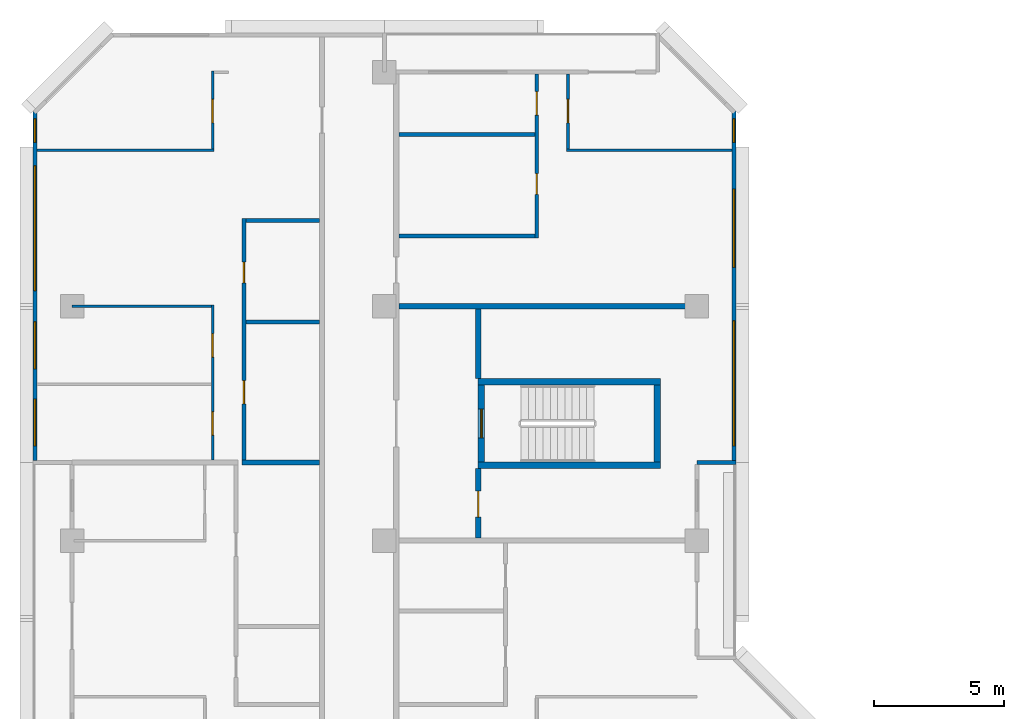
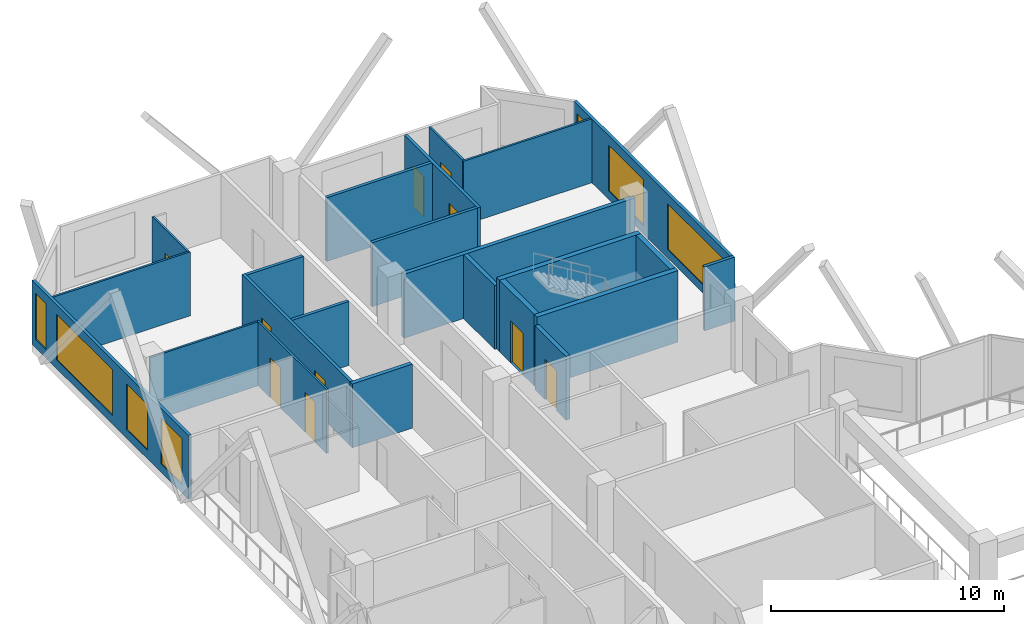
# One storey, part 10 of 14: 23 walls, 10 doors, 7 windows, 17 openings.
"""IFC4 building model written with IfcOpenShell, lengths in metres."""

from ifc_helpers import new_model, si_unit, direction, frame, frame_2d, origin, place, context, subcontext, project, spatial, rectangle, extrude, material, layer, layer_set, type_object, element, fill, save


model = new_model("IFC4")

# Units and contexts
model_context = context("Model", 3, precision=1e-05, world=origin(), true_north=direction((0.0, 1.0)))
body_context = subcontext(model_context, "Body", "Model", "MODEL_VIEW")
ifc_project = project(units=[si_unit("LENGTHUNIT", "METRE"), si_unit("AREAUNIT", "SQUARE_METRE"), si_unit("VOLUMEUNIT", "CUBIC_METRE"), si_unit("PLANEANGLEUNIT", "RADIAN"), si_unit("MASSUNIT", "GRAM", prefix="KILO")], contexts=[model_context])

# Site, building, storey
site_placement = place(None, origin())
site = spatial("IfcSite", under=ifc_project, at=site_placement, CompositionType="ELEMENT")
building_placement = place(site_placement, origin())
building = spatial("IfcBuilding", under=site, at=building_placement, Name="Chenar Terraces", CompositionType="ELEMENT")
storey_placement = place(building_placement, frame((0.0, 0.0, 179.89990234375)))
storey = spatial("IfcBuildingStorey", under=building, at=storey_placement, Name="L41", CompositionType="ELEMENT", Elevation=179.89990234375)

# Walls
ifc_material_1 = material(Name="Concrete C60/75", Category="concrete")
ifc_layer_1 = layer(ifc_material_1, 0.25)
ifc_layer_set_1 = layer_set([ifc_layer_1], Name="Concrete C60/75")
wall_type_1 = type_object("IfcWallType", Name="Core wall 250 Concrete C60/75", PredefinedType="SHEAR", material=ifc_layer_set_1)
for number, where, z_axis, x_axis, name in (
    (1, (15.60009765625, 47.89990234375, 0.0), (0.0, 0.0, 1.0), (1.0, 0.0, 0.0), "Core wall ST4_S L41"),
    (2, (15.60009765625, 51.10009765625, 0.0), (0.0, 0.0, 1.0), (1.0, 0.0, 0.0), "Core wall ST4_N L41"),
):
    element("IfcWall", number, at=place(storey_placement, frame(where, z_axis=z_axis, x_axis=x_axis)), inside=storey, type_object=wall_type_1, Name=name, PredefinedType="SHEAR", context=body_context, shape_type="SweptSolid", body=[
        extrude(rectangle(XDim=7.0, YDim=0.25, at=frame_2d((3.5, 0.0))), origin(), (0.0, 0.0, 1.0), 3.75),
    ])

# Wall, opening, door
wall_1_placement = place(storey_placement, frame((15.72509765625, 48.02490234375, 0.0), z_axis=(0.0, 0.0, 1.0), x_axis=(0.0, 1.0, 0.0)))
wall_1 = element("IfcWall", 3, at=wall_1_placement, inside=storey, type_object=wall_type_1, Name="Core wall ST4_W L41", PredefinedType="SHEAR", context=body_context, shape_type="SweptSolid", body=[
    extrude(rectangle(XDim=2.9501953125, YDim=0.25, at=frame_2d((1.47509765625, 0.0))), origin(), (0.0, 0.0, 1.0), 3.75),
])
opening_1_placement = place(wall_1_placement, frame((0.925048828125, 0.0, 0.0)))
opening_1 = element("IfcOpeningElement", 4, at=opening_1_placement, cuts=wall_1, Name="Opening DL41-C9", PredefinedType="OPENING", context=body_context, shape_type="SweptSolid", body=[
    extrude(rectangle(XDim=1.10009765625, YDim=2.199951171875, at=frame_2d((0.550048828125, 1.10009765625))), frame((0.0, 0.135009765625, 0.0), z_axis=(0.0, -1.0, 0.0), x_axis=(1.0, 0.0, 0.0)), (0.0, 0.0, 1.0), 0.27001953125),
])
ifc_material_2 = material(Name="Steel-framed fire-resisting door leaf", Category="steel")
door_type_1 = type_object("IfcDoorType", Name="Stair fire door FD60 1100 x 2200", OperationType="SINGLE_SWING_LEFT", PredefinedType="DOOR", material=ifc_material_2)
door_1_placement = place(opening_1_placement, frame((1.10009765625, 0.0, 0.0), z_axis=(0.0, 0.0, 1.0), x_axis=(-1.0, 0.0, 0.0)))
door_1 = element("IfcDoor", 5, at=door_1_placement, inside=storey, type_object=door_type_1, Name="Stair door DL41-C9", OperationType="SINGLE_SWING_RIGHT", OverallHeight=2.199951171875, OverallWidth=1.10009765625, PredefinedType="DOOR", context=body_context, shape_type="SweptSolid", body=[
    extrude(rectangle(XDim=1.10009765625, YDim=2.199951171875, at=frame_2d((0.550048828125, 1.10009765625))), frame((0.0, 0.02490234375, 0.0), z_axis=(0.0, -1.0, 0.0), x_axis=(1.0, 0.0, 0.0)), (0.0, 0.0, 1.0), 0.050048828125),
])
fill(opening_1, door_1)

# Wall
wall_2_placement = place(storey_placement, frame((22.47509765625, 48.02490234375, 0.0), z_axis=(0.0, 0.0, 1.0), x_axis=(0.0, 1.0, 0.0)))
element("IfcWall", 6, at=wall_2_placement, inside=storey, type_object=wall_type_1, Name="Core wall ST4_E L41", PredefinedType="SHEAR", context=body_context, shape_type="SweptSolid", body=[
    extrude(rectangle(XDim=2.9501953125, YDim=0.25, at=frame_2d((1.47509765625, 0.0))), origin(), (0.0, 0.0, 1.0), 3.75),
])

# Wall, opening, door
ifc_material_3 = material(Name="Gypsum board on steel studs with fire boards", Category="steel")
ifc_layer_2 = layer(ifc_material_3, 0.199951171875)
ifc_layer_set_2 = layer_set([ifc_layer_2], Name="Gypsum board on steel studs with fire boards")
wall_type_2 = type_object("IfcWallType", Name="Corridor wall 200", PredefinedType="PARTITIONING", material=ifc_layer_set_2)
wall_3_placement = place(storey_placement, frame((15.60009765625, 45.10009765625, 0.0), z_axis=(0.0, 0.0, 1.0), x_axis=(0.0, 1.0, 0.0)))
wall_3 = element("IfcWall", 7, at=wall_3_placement, inside=storey, type_object=wall_type_2, Name="Partition L41-044", PredefinedType="PARTITIONING", context=body_context, shape_type="SweptSolid", body=[
    extrude(rectangle(XDim=2.6748046875, YDim=0.199951171875, at=frame_2d((1.33740234375, 0.0))), origin(), (0.0, 0.0, 1.0), 3.35009765625),
])
opening_2_placement = place(wall_3_placement, frame((0.800048828125, 0.0, 0.0)))
opening_2 = element("IfcOpeningElement", 8, at=opening_2_placement, cuts=wall_3, Name="Opening DL41-39", PredefinedType="OPENING", context=body_context, shape_type="SweptSolid", body=[
    extrude(rectangle(XDim=1.0, YDim=2.10009765625, at=frame_2d((0.5, 1.050048828125))), frame((0.0, 0.10986328125, 0.0), z_axis=(0.0, -1.0, 0.0), x_axis=(1.0, 0.0, 0.0)), (0.0, 0.0, 1.0), 0.219970703125),
])
ifc_material_4 = material(Name="Steel-framed fire-resisting door leaf", Category="steel")
door_type_2 = type_object("IfcDoorType", Name="Fire door FD60 1000 x 2100", OperationType="SINGLE_SWING_LEFT", PredefinedType="DOOR", material=ifc_material_4)
door_2_placement = place(opening_2_placement, frame((1.0, 0.0, 0.0), z_axis=(0.0, 0.0, 1.0), x_axis=(-1.0, 0.0, 0.0)))
door_2 = element("IfcDoor", 9, at=door_2_placement, inside=storey, type_object=door_type_2, Name="Door DL41-39", OperationType="SINGLE_SWING_RIGHT", OverallHeight=2.10009765625, OverallWidth=1.0, PredefinedType="DOOR", context=body_context, shape_type="SweptSolid", body=[
    extrude(rectangle(XDim=1.0, YDim=2.10009765625, at=frame_2d((0.5, 1.050048828125))), frame((0.0, 0.02490234375, 0.0), z_axis=(0.0, -1.0, 0.0), x_axis=(1.0, 0.0, 0.0)), (0.0, 0.0, 1.0), 0.050048828125),
])
fill(opening_2, door_2)

# Wall
wall_4_placement = place(storey_placement, frame((15.60009765625, 51.22509765625, 0.0), z_axis=(0.0, 0.0, 1.0), x_axis=(0.0, 1.0, 0.0)))
element("IfcWall", 10, at=wall_4_placement, inside=storey, type_object=wall_type_2, Name="Partition L41-045", PredefinedType="PARTITIONING", context=body_context, shape_type="SweptSolid", body=[
    extrude(rectangle(XDim=2.6748046875, YDim=0.199951171875, at=frame_2d((1.33740234375, 0.0))), origin(), (0.0, 0.0, 1.0), 3.35009765625),
])

# Wall, openings, windows
ifc_material_5 = material(Name="Aluminium framed glazing", Category="aluminium")
ifc_layer_3 = layer(ifc_material_5, 0.14990234375)
ifc_layer_set_3 = layer_set([ifc_layer_3], Name="Aluminium framed glazing")
wall_type_3 = type_object("IfcWallType", Name="Glazed flush facade wall 150", PredefinedType="SOLIDWALL", material=ifc_layer_set_3)
wall_5_placement = place(storey_placement, frame((25.425048828125, 48.074951171875, 0.0), z_axis=(0.0, 0.0, 1.0), x_axis=(0.0, 1.0, 0.0)))
wall_5 = element("IfcWall", 11, at=wall_5_placement, inside=storey, type_object=wall_type_3, Name="Glazed flush facade wall", PredefinedType="SOLIDWALL", context=body_context, shape_type="SweptSolid", body=[
    extrude(rectangle(XDim=13.425048828125, YDim=0.14990234375, at=frame_2d((6.71240234375, 0.0))), origin(), (0.0, 0.0, 1.0), 3.35009765625),
])
opening_3_placement = place(wall_5_placement, frame((0.5625, 0.0, 0.449951171875)))
opening_3 = element("IfcOpeningElement", 12, at=opening_3_placement, cuts=wall_5, Name="Opening W480x240", PredefinedType="OPENING", context=body_context, shape_type="SweptSolid", body=[
    extrude(rectangle(XDim=4.800048828125, YDim=2.39990234375, at=frame_2d((2.39990234375, 1.199951171875))), frame((0.0, 0.0849609375, 0.0), z_axis=(0.0, -1.0, 0.0), x_axis=(1.0, 0.0, 0.0)), (0.0, 0.0, 1.0), 0.169921875),
])
opening_4_placement = place(wall_5_placement, frame((7.425048828125, 0.0, 0.449951171875)))
opening_4 = element("IfcOpeningElement", 13, at=opening_4_placement, cuts=wall_5, Name="Opening W300x240", PredefinedType="OPENING", context=body_context, shape_type="SweptSolid", body=[
    extrude(rectangle(XDim=3.0, YDim=2.39990234375, at=frame_2d((1.5, 1.199951171875))), frame((0.0, 0.0849609375, 0.0), z_axis=(0.0, -1.0, 0.0), x_axis=(1.0, 0.0, 0.0)), (0.0, 0.0, 1.0), 0.169921875),
])
opening_5_placement = place(wall_5_placement, frame((12.22509765625, 0.0, 0.449951171875)))
opening_5 = element("IfcOpeningElement", 14, at=opening_5_placement, cuts=wall_5, Name="Opening W90x240", PredefinedType="OPENING", context=body_context, shape_type="SweptSolid", body=[
    extrude(rectangle(XDim=0.89990234375, YDim=2.39990234375, at=frame_2d((0.449951171875, 1.199951171875))), frame((0.0, 0.0849609375, 0.0), z_axis=(0.0, -1.0, 0.0), x_axis=(1.0, 0.0, 0.0)), (0.0, 0.0, 1.0), 0.169921875),
])
ifc_material_6 = material(Name="Low emissivity double glazing, aluminium frame", Category="aluminium")
window_type_1 = type_object("IfcWindowType", Name="Fixed light 3000 x 2400", PartitioningType="SINGLE_PANEL", PredefinedType="WINDOW", material=ifc_material_6)
window_1_placement = place(opening_4_placement, origin())
window_1 = element("IfcWindow", 15, at=window_1_placement, inside=storey, type_object=window_type_1, Name="Window", OverallHeight=2.39990234375, OverallWidth=3.0, PartitioningType="SINGLE_PANEL", PredefinedType="WINDOW", context=body_context, shape_type="SweptSolid", body=[
    extrude(rectangle(XDim=3.0, YDim=2.39990234375, at=frame_2d((1.5, 1.199951171875))), frame((0.0, 0.030029296875, 0.0), z_axis=(0.0, -1.0, 0.0), x_axis=(1.0, 0.0, 0.0)), (0.0, 0.0, 1.0), 0.06005859375),
])
fill(opening_4, window_1)
ifc_material_7 = material(Name="Low emissivity double glazing, aluminium frame", Category="aluminium")
window_type_2 = type_object("IfcWindowType", Name="Fixed light 4800 x 2400", PartitioningType="SINGLE_PANEL", PredefinedType="WINDOW", material=ifc_material_7)
window_2_placement = place(opening_3_placement, origin())
window_2 = element("IfcWindow", 16, at=window_2_placement, inside=storey, type_object=window_type_2, Name="Window", OverallHeight=2.39990234375, OverallWidth=4.800048828125, PartitioningType="SINGLE_PANEL", PredefinedType="WINDOW", context=body_context, shape_type="SweptSolid", body=[
    extrude(rectangle(XDim=4.800048828125, YDim=2.39990234375, at=frame_2d((2.39990234375, 1.199951171875))), frame((0.0, 0.030029296875, 0.0), z_axis=(0.0, -1.0, 0.0), x_axis=(1.0, 0.0, 0.0)), (0.0, 0.0, 1.0), 0.06005859375),
])
fill(opening_3, window_2)
ifc_material_8 = material(Name="Low emissivity double glazing, aluminium frame", Category="aluminium")
window_type_3 = type_object("IfcWindowType", Name="Fixed light 900 x 2400", PartitioningType="SINGLE_PANEL", PredefinedType="WINDOW", material=ifc_material_8)
window_3_placement = place(opening_5_placement, origin())
window_3 = element("IfcWindow", 17, at=window_3_placement, inside=storey, type_object=window_type_3, Name="Window", OverallHeight=2.39990234375, OverallWidth=0.89990234375, PartitioningType="SINGLE_PANEL", PredefinedType="WINDOW", context=body_context, shape_type="SweptSolid", body=[
    extrude(rectangle(XDim=0.89990234375, YDim=2.39990234375, at=frame_2d((0.449951171875, 1.199951171875))), frame((0.0, 0.030029296875, 0.0), z_axis=(0.0, -1.0, 0.0), x_axis=(1.0, 0.0, 0.0)), (0.0, 0.0, 1.0), 0.06005859375),
])
fill(opening_5, window_3)

wall_6_placement = place(storey_placement, frame((-1.425048828125, 61.5, 0.0), z_axis=(0.0, 0.0, 1.0), x_axis=(0.0, -1.0, 0.0)))
wall_6 = element("IfcWall", 18, at=wall_6_placement, inside=storey, type_object=wall_type_3, Name="Glazed flush facade wall", PredefinedType="SOLIDWALL", context=body_context, shape_type="SweptSolid", body=[
    extrude(rectangle(XDim=13.425048828125, YDim=0.14990234375, at=frame_2d((6.71240234375, 0.0))), origin(), (0.0, 0.0, 1.0), 3.35009765625),
])
opening_6_placement = place(wall_6_placement, frame((0.300048828125, 0.0, 0.449951171875)))
opening_6 = element("IfcOpeningElement", 19, at=opening_6_placement, cuts=wall_6, Name="Opening W90x240", PredefinedType="OPENING", context=body_context, shape_type="SweptSolid", body=[
    extrude(rectangle(XDim=0.89990234375, YDim=2.39990234375, at=frame_2d((0.449951171875, 1.199951171875))), frame((0.0, 0.0849609375, 0.0), z_axis=(0.0, -1.0, 0.0), x_axis=(1.0, 0.0, 0.0)), (0.0, 0.0, 1.0), 0.169921875),
])
opening_7_placement = place(wall_6_placement, frame((2.10009765625, 0.0, 0.449951171875)))
opening_7 = element("IfcOpeningElement", 20, at=opening_7_placement, cuts=wall_6, Name="Opening W480x240", PredefinedType="OPENING", context=body_context, shape_type="SweptSolid", body=[
    extrude(rectangle(XDim=4.800048828125, YDim=2.39990234375, at=frame_2d((2.39990234375, 1.199951171875))), frame((0.0, 0.0849609375, 0.0), z_axis=(0.0, -1.0, 0.0), x_axis=(1.0, 0.0, 0.0)), (0.0, 0.0, 1.0), 0.169921875),
])
opening_8_placement = place(wall_6_placement, frame((8.10009765625, 0.0, 0.449951171875)))
opening_8 = element("IfcOpeningElement", 21, at=opening_8_placement, cuts=wall_6, Name="Opening W180x240", PredefinedType="OPENING", context=body_context, shape_type="SweptSolid", body=[
    extrude(rectangle(XDim=1.800048828125, YDim=2.39990234375, at=frame_2d((0.89990234375, 1.199951171875))), frame((0.0, 0.0849609375, 0.0), z_axis=(0.0, -1.0, 0.0), x_axis=(1.0, 0.0, 0.0)), (0.0, 0.0, 1.0), 0.169921875),
])
opening_9_placement = place(wall_6_placement, frame((11.0625, 0.0, 0.449951171875)))
opening_9 = element("IfcOpeningElement", 22, at=opening_9_placement, cuts=wall_6, Name="Opening W180x240", PredefinedType="OPENING", context=body_context, shape_type="SweptSolid", body=[
    extrude(rectangle(XDim=1.800048828125, YDim=2.39990234375, at=frame_2d((0.89990234375, 1.199951171875))), frame((0.0, 0.0849609375, 0.0), z_axis=(0.0, -1.0, 0.0), x_axis=(1.0, 0.0, 0.0)), (0.0, 0.0, 1.0), 0.169921875),
])
ifc_material_9 = material(Name="Low emissivity double glazing, aluminium frame", Category="aluminium")
window_type_4 = type_object("IfcWindowType", Name="Fixed light 1800 x 2400", PartitioningType="SINGLE_PANEL", PredefinedType="WINDOW", material=ifc_material_9)
window_4_placement = place(opening_8_placement, origin())
window_4 = element("IfcWindow", 23, at=window_4_placement, inside=storey, type_object=window_type_4, Name="Window", OverallHeight=2.39990234375, OverallWidth=1.800048828125, PartitioningType="SINGLE_PANEL", PredefinedType="WINDOW", context=body_context, shape_type="SweptSolid", body=[
    extrude(rectangle(XDim=1.800048828125, YDim=2.39990234375, at=frame_2d((0.89990234375, 1.199951171875))), frame((0.0, 0.030029296875, 0.0), z_axis=(0.0, -1.0, 0.0), x_axis=(1.0, 0.0, 0.0)), (0.0, 0.0, 1.0), 0.06005859375),
])
fill(opening_8, window_4)
window_5_placement = place(opening_9_placement, origin())
window_5 = element("IfcWindow", 24, at=window_5_placement, inside=storey, type_object=window_type_4, Name="Window", OverallHeight=2.39990234375, OverallWidth=1.800048828125, PartitioningType="SINGLE_PANEL", PredefinedType="WINDOW", context=body_context, shape_type="SweptSolid", body=[
    extrude(rectangle(XDim=1.800048828125, YDim=2.39990234375, at=frame_2d((0.89990234375, 1.199951171875))), frame((0.0, 0.030029296875, 0.0), z_axis=(0.0, -1.0, 0.0), x_axis=(1.0, 0.0, 0.0)), (0.0, 0.0, 1.0), 0.06005859375),
])
fill(opening_9, window_5)
window_6_placement = place(opening_7_placement, origin())
window_6 = element("IfcWindow", 25, at=window_6_placement, inside=storey, type_object=window_type_2, Name="Window", OverallHeight=2.39990234375, OverallWidth=4.800048828125, PartitioningType="SINGLE_PANEL", PredefinedType="WINDOW", context=body_context, shape_type="SweptSolid", body=[
    extrude(rectangle(XDim=4.800048828125, YDim=2.39990234375, at=frame_2d((2.39990234375, 1.199951171875))), frame((0.0, 0.030029296875, 0.0), z_axis=(0.0, -1.0, 0.0), x_axis=(1.0, 0.0, 0.0)), (0.0, 0.0, 1.0), 0.06005859375),
])
fill(opening_7, window_6)
window_7_placement = place(opening_6_placement, origin())
window_7 = element("IfcWindow", 26, at=window_7_placement, inside=storey, type_object=window_type_3, Name="Window", OverallHeight=2.39990234375, OverallWidth=0.89990234375, PartitioningType="SINGLE_PANEL", PredefinedType="WINDOW", context=body_context, shape_type="SweptSolid", body=[
    extrude(rectangle(XDim=0.89990234375, YDim=2.39990234375, at=frame_2d((0.449951171875, 1.199951171875))), frame((0.0, 0.030029296875, 0.0), z_axis=(0.0, -1.0, 0.0), x_axis=(1.0, 0.0, 0.0)), (0.0, 0.0, 1.0), 0.06005859375),
])
fill(opening_6, window_7)

# Walls
ifc_material_10 = material(Name="Gypsum board on steel studs", Category="steel")
ifc_layer_4 = layer(ifc_material_10, 0.10009765625)
ifc_layer_set_4 = layer_set([ifc_layer_4], Name="Gypsum board on steel studs")
wall_type_4 = type_object("IfcWallType", Name="Gypsum partition 100", PredefinedType="PARTITIONING", material=ifc_layer_set_4)
wall_7_placement = place(storey_placement, frame((0.0, 54.0, 0.0), z_axis=(0.0, 0.0, 1.0), x_axis=(1.0, 0.0, 0.0)))
element("IfcWall", 27, at=wall_7_placement, inside=storey, type_object=wall_type_4, Name="Partition L41-006", PredefinedType="PARTITIONING", context=body_context, shape_type="SweptSolid", body=[
    extrude(rectangle(XDim=5.35009765625, YDim=0.10009765625, at=frame_2d((2.675048828125, 0.0))), origin(), (0.0, 0.0, 1.0), 3.35009765625),
])
wall_8_placement = place(storey_placement, frame((-1.35009765625, 60.0, 0.0), z_axis=(0.0, 0.0, 1.0), x_axis=(1.0, 0.0, 0.0)))
element("IfcWall", 28, at=wall_8_placement, inside=storey, type_object=wall_type_4, Name="Partition L41-007", PredefinedType="PARTITIONING", context=body_context, shape_type="SweptSolid", body=[
    extrude(rectangle(XDim=6.800048828125, YDim=0.10009765625, at=frame_2d((3.39990234375, 0.0))), origin(), (0.0, 0.0, 1.0), 3.35009765625),
])

# Wall, openings, doors
wall_9_placement = place(storey_placement, frame((5.39990234375, 48.10009765625, 0.0), z_axis=(0.0, 0.0, 1.0), x_axis=(0.0, 1.0, 0.0)))
wall_9 = element("IfcWall", 29, at=wall_9_placement, inside=storey, type_object=wall_type_4, Name="Partition L41-015", PredefinedType="PARTITIONING", context=body_context, shape_type="SweptSolid", body=[
    extrude(rectangle(XDim=5.949951171875, YDim=0.10009765625, at=frame_2d((2.97509765625, 0.0))), origin(), (0.0, 0.0, 1.0), 3.35009765625),
])
opening_10_placement = place(wall_9_placement, frame((0.949951171875, 0.0, 0.0)))
opening_10 = element("IfcOpeningElement", 30, at=opening_10_placement, cuts=wall_9, Name="Opening DL41-29", PredefinedType="OPENING", context=body_context, shape_type="SweptSolid", body=[
    extrude(rectangle(XDim=0.89990234375, YDim=2.10009765625, at=frame_2d((0.449951171875, 1.050048828125))), frame((0.0, 0.06005859375, 0.0), z_axis=(0.0, -1.0, 0.0), x_axis=(1.0, 0.0, 0.0)), (0.0, 0.0, 1.0), 0.1201171875),
])
opening_11_placement = place(wall_9_placement, frame((3.949951171875, 0.0, 0.0)))
opening_11 = element("IfcOpeningElement", 31, at=opening_11_placement, cuts=wall_9, Name="Opening DL41-33", PredefinedType="OPENING", context=body_context, shape_type="SweptSolid", body=[
    extrude(rectangle(XDim=0.89990234375, YDim=2.10009765625, at=frame_2d((0.449951171875, 1.050048828125))), frame((0.0, 0.06005859375, 0.0), z_axis=(0.0, -1.0, 0.0), x_axis=(1.0, 0.0, 0.0)), (0.0, 0.0, 1.0), 0.1201171875),
])
ifc_material_11 = material(Name="Veneered timber door leaf", Category="wood")
door_type_3 = type_object("IfcDoorType", Name="Door 900 x 2100", OperationType="SINGLE_SWING_LEFT", PredefinedType="DOOR", material=ifc_material_11)
door_3_placement = place(opening_10_placement, origin())
door_3 = element("IfcDoor", 32, at=door_3_placement, inside=storey, type_object=door_type_3, Name="Door DL41-29", OperationType="SINGLE_SWING_RIGHT", OverallHeight=2.10009765625, OverallWidth=0.89990234375, PredefinedType="DOOR", context=body_context, shape_type="SweptSolid", body=[
    extrude(rectangle(XDim=0.89990234375, YDim=2.10009765625, at=frame_2d((0.449951171875, 1.050048828125))), frame((0.0, 0.02490234375, 0.0), z_axis=(0.0, -1.0, 0.0), x_axis=(1.0, 0.0, 0.0)), (0.0, 0.0, 1.0), 0.050048828125),
])
fill(opening_10, door_3)
door_4_placement = place(opening_11_placement, origin())
door_4 = element("IfcDoor", 33, at=door_4_placement, inside=storey, type_object=door_type_3, Name="Door DL41-33", OperationType="SINGLE_SWING_RIGHT", OverallHeight=2.10009765625, OverallWidth=0.89990234375, PredefinedType="DOOR", context=body_context, shape_type="SweptSolid", body=[
    extrude(rectangle(XDim=0.89990234375, YDim=2.10009765625, at=frame_2d((0.449951171875, 1.050048828125))), frame((0.0, 0.02490234375, 0.0), z_axis=(0.0, -1.0, 0.0), x_axis=(1.0, 0.0, 0.0)), (0.0, 0.0, 1.0), 0.050048828125),
])
fill(opening_11, door_4)

# Wall, opening, door
wall_10_placement = place(storey_placement, frame((5.39990234375, 60.050048828125, 0.0), z_axis=(0.0, 0.0, 1.0), x_axis=(0.0, 1.0, 0.0)))
wall_10 = element("IfcWall", 34, at=wall_10_placement, inside=storey, type_object=wall_type_4, Name="Partition L41-016", PredefinedType="PARTITIONING", context=body_context, shape_type="SweptSolid", body=[
    extrude(rectangle(XDim=3.0, YDim=0.10009765625, at=frame_2d((1.5, 0.0))), origin(), (0.0, 0.0, 1.0), 3.35009765625),
])
opening_12_placement = place(wall_10_placement, frame((1.0, 0.0, 0.0)))
opening_12 = element("IfcOpeningElement", 35, at=opening_12_placement, cuts=wall_10, Name="Opening DL41-30", PredefinedType="OPENING", context=body_context, shape_type="SweptSolid", body=[
    extrude(rectangle(XDim=0.89990234375, YDim=2.10009765625, at=frame_2d((0.449951171875, 1.050048828125))), frame((0.0, 0.06005859375, 0.0), z_axis=(0.0, -1.0, 0.0), x_axis=(1.0, 0.0, 0.0)), (0.0, 0.0, 1.0), 0.1201171875),
])
door_5_placement = place(opening_12_placement, origin())
door_5 = element("IfcDoor", 36, at=door_5_placement, inside=storey, type_object=door_type_3, Name="Door DL41-30", OperationType="SINGLE_SWING_LEFT", OverallHeight=2.10009765625, OverallWidth=0.89990234375, PredefinedType="DOOR", context=body_context, shape_type="SweptSolid", body=[
    extrude(rectangle(XDim=0.89990234375, YDim=2.10009765625, at=frame_2d((0.449951171875, 1.050048828125))), frame((0.0, 0.02490234375, 0.0), z_axis=(0.0, -1.0, 0.0), x_axis=(1.0, 0.0, 0.0)), (0.0, 0.0, 1.0), 0.050048828125),
])
fill(opening_12, door_5)

# Wall
wall_11_placement = place(storey_placement, frame((19.0, 60.0, 0.0), z_axis=(0.0, 0.0, 1.0), x_axis=(1.0, 0.0, 0.0)))
element("IfcWall", 37, at=wall_11_placement, inside=storey, type_object=wall_type_4, Name="Partition L41-050", PredefinedType="PARTITIONING", context=body_context, shape_type="SweptSolid", body=[
    extrude(rectangle(XDim=6.35009765625, YDim=0.10009765625, at=frame_2d((3.175048828125, 0.0))), origin(), (0.0, 0.0, 1.0), 3.35009765625),
])

# Wall, opening, door
wall_12_placement = place(storey_placement, frame((19.050048828125, 60.050048828125, 0.0), z_axis=(0.0, 0.0, 1.0), x_axis=(0.0, 1.0, 0.0)))
wall_12 = element("IfcWall", 38, at=wall_12_placement, inside=storey, type_object=wall_type_4, Name="Partition L41-051", PredefinedType="PARTITIONING", context=body_context, shape_type="SweptSolid", body=[
    extrude(rectangle(XDim=2.8759765625, YDim=0.10009765625, at=frame_2d((1.43798828125, 0.0))), origin(), (0.0, 0.0, 1.0), 3.35009765625),
])
opening_13_placement = place(wall_12_placement, frame((1.0, 0.0, 0.0)))
opening_13 = element("IfcOpeningElement", 39, at=opening_13_placement, cuts=wall_12, Name="Opening DL41-20", PredefinedType="OPENING", context=body_context, shape_type="SweptSolid", body=[
    extrude(rectangle(XDim=0.89990234375, YDim=2.10009765625, at=frame_2d((0.449951171875, 1.050048828125))), frame((0.0, 0.06005859375, 0.0), z_axis=(0.0, -1.0, 0.0), x_axis=(1.0, 0.0, 0.0)), (0.0, 0.0, 1.0), 0.1201171875),
])
door_6_placement = place(opening_13_placement, frame((0.89990234375, 0.0, 0.0), z_axis=(0.0, 0.0, 1.0), x_axis=(-1.0, 0.0, 0.0)))
door_6 = element("IfcDoor", 40, at=door_6_placement, inside=storey, type_object=door_type_3, Name="Door DL41-20", OperationType="SINGLE_SWING_LEFT", OverallHeight=2.10009765625, OverallWidth=0.89990234375, PredefinedType="DOOR", context=body_context, shape_type="SweptSolid", body=[
    extrude(rectangle(XDim=0.89990234375, YDim=2.10009765625, at=frame_2d((0.449951171875, 1.050048828125))), frame((0.0, 0.02490234375, 0.0), z_axis=(0.0, -1.0, 0.0), x_axis=(1.0, 0.0, 0.0)), (0.0, 0.0, 1.0), 0.050048828125),
])
fill(opening_13, door_6)

# Walls
ifc_material_12 = material(Name="Terracotta cladding on insulated backing", Category="masonry")
ifc_layer_5 = layer(ifc_material_12, 0.14990234375)
ifc_layer_set_5 = layer_set([ifc_layer_5], Name="Terracotta cladding on insulated backing")
wall_type_5 = type_object("IfcWallType", Name="Loggia return wall 150", PredefinedType="SOLIDWALL", material=ifc_layer_set_5)
wall_13_placement = place(storey_placement, frame((25.5, 48.0, 0.0), z_axis=(0.0, 0.0, 1.0), x_axis=(-1.0, 0.0, 0.0)))
element("IfcWall", 41, at=wall_13_placement, inside=storey, type_object=wall_type_5, Name="Loggia return wall", PredefinedType="SOLIDWALL", context=body_context, shape_type="SweptSolid", body=[
    extrude(rectangle(XDim=1.5, YDim=0.14990234375, at=frame_2d((0.75, 0.0))), origin(), (0.0, 0.0, 1.0), 3.35009765625),
])
ifc_material_13 = material(Name="Twin gypsum board on steel studs with mineral wool", Category="steel")
ifc_layer_6 = layer(ifc_material_13, 0.199951171875)
ifc_layer_set_6 = layer_set([ifc_layer_6], Name="Twin gypsum board on steel studs with mineral wool")
wall_type_6 = type_object("IfcWallType", Name="Unit demising wall 200", PredefinedType="PARTITIONING", material=ifc_layer_set_6)
wall_14_placement = place(storey_placement, frame((6.52490234375, 48.0, 0.0), z_axis=(0.0, 0.0, 1.0), x_axis=(1.0, 0.0, 0.0)))
element("IfcWall", 42, at=wall_14_placement, inside=storey, type_object=wall_type_6, Name="Partition L41-022", PredefinedType="PARTITIONING", context=body_context, shape_type="SweptSolid", body=[
    extrude(rectangle(XDim=2.97509765625, YDim=0.199951171875, at=frame_2d((1.487548828125, 0.0))), origin(), (0.0, 0.0, 1.0), 3.35009765625),
])
wall_15_placement = place(storey_placement, frame((12.550048828125, 54.0, 0.0), z_axis=(0.0, 0.0, 1.0), x_axis=(1.0, 0.0, 0.0)))
element("IfcWall", 43, at=wall_15_placement, inside=storey, type_object=wall_type_6, Name="Partition L41-041", PredefinedType="PARTITIONING", context=body_context, shape_type="SweptSolid", body=[
    extrude(rectangle(XDim=11.449951171875, YDim=0.199951171875, at=frame_2d((5.72509765625, 0.0))), origin(), (0.0, 0.0, 1.0), 3.35009765625),
])

# Wall, openings, doors
ifc_material_14 = material(Name="Moisture-resistant gypsum board on steel studs", Category="steel")
ifc_layer_7 = layer(ifc_material_14, 0.14990234375)
ifc_layer_set_7 = layer_set([ifc_layer_7], Name="Moisture-resistant gypsum board on steel studs")
wall_type_7 = type_object("IfcWallType", Name="Wet-room partition 150", PredefinedType="PARTITIONING", material=ifc_layer_set_7)
wall_16_placement = place(storey_placement, frame((6.60009765625, 48.10009765625, 0.0), z_axis=(0.0, 0.0, 1.0), x_axis=(0.0, 1.0, 0.0)))
wall_16 = element("IfcWall", 44, at=wall_16_placement, inside=storey, type_object=wall_type_7, Name="Partition L41-023", PredefinedType="PARTITIONING", context=body_context, shape_type="SweptSolid", body=[
    extrude(rectangle(XDim=9.27490234375, YDim=0.14990234375, at=frame_2d((4.637451171875, 0.0))), origin(), (0.0, 0.0, 1.0), 3.35009765625),
])
opening_14_placement = place(wall_16_placement, frame((6.800048828125, 0.0, 0.0)))
opening_14 = element("IfcOpeningElement", 45, at=opening_14_placement, cuts=wall_16, Name="Opening DL41-28", PredefinedType="OPENING", context=body_context, shape_type="SweptSolid", body=[
    extrude(rectangle(XDim=0.800048828125, YDim=2.10009765625, at=frame_2d((0.39990234375, 1.050048828125))), frame((0.0, 0.0849609375, 0.0), z_axis=(0.0, -1.0, 0.0), x_axis=(1.0, 0.0, 0.0)), (0.0, 0.0, 1.0), 0.169921875),
])
opening_15_placement = place(wall_16_placement, frame((2.14990234375, 0.0, 0.0)))
opening_15 = element("IfcOpeningElement", 46, at=opening_15_placement, cuts=wall_16, Name="Opening DL41-31", PredefinedType="OPENING", context=body_context, shape_type="SweptSolid", body=[
    extrude(rectangle(XDim=0.89990234375, YDim=2.10009765625, at=frame_2d((0.449951171875, 1.050048828125))), frame((0.0, 0.0849609375, 0.0), z_axis=(0.0, -1.0, 0.0), x_axis=(1.0, 0.0, 0.0)), (0.0, 0.0, 1.0), 0.169921875),
])
ifc_material_15 = material(Name="Veneered timber door leaf", Category="wood")
door_type_4 = type_object("IfcDoorType", Name="Door 800 x 2100", OperationType="SINGLE_SWING_LEFT", PredefinedType="DOOR", material=ifc_material_15)
door_7_placement = place(opening_14_placement, frame((0.800048828125, 0.0, 0.0), z_axis=(0.0, 0.0, 1.0), x_axis=(-1.0, 0.0, 0.0)))
door_7 = element("IfcDoor", 47, at=door_7_placement, inside=storey, type_object=door_type_4, Name="Door DL41-28", OperationType="SINGLE_SWING_RIGHT", OverallHeight=2.10009765625, OverallWidth=0.800048828125, PredefinedType="DOOR", context=body_context, shape_type="SweptSolid", body=[
    extrude(rectangle(XDim=0.800048828125, YDim=2.10009765625, at=frame_2d((0.39990234375, 1.050048828125))), frame((0.0, 0.02490234375, 0.0), z_axis=(0.0, -1.0, 0.0), x_axis=(1.0, 0.0, 0.0)), (0.0, 0.0, 1.0), 0.050048828125),
])
fill(opening_14, door_7)
door_8_placement = place(opening_15_placement, frame((0.89990234375, 0.0, 0.0), z_axis=(0.0, 0.0, 1.0), x_axis=(-1.0, 0.0, 0.0)))
door_8 = element("IfcDoor", 48, at=door_8_placement, inside=storey, type_object=door_type_3, Name="Door DL41-31", OperationType="SINGLE_SWING_LEFT", OverallHeight=2.10009765625, OverallWidth=0.89990234375, PredefinedType="DOOR", context=body_context, shape_type="SweptSolid", body=[
    extrude(rectangle(XDim=0.89990234375, YDim=2.10009765625, at=frame_2d((0.449951171875, 1.050048828125))), frame((0.0, 0.02490234375, 0.0), z_axis=(0.0, -1.0, 0.0), x_axis=(1.0, 0.0, 0.0)), (0.0, 0.0, 1.0), 0.050048828125),
])
fill(opening_15, door_8)

# Walls
for number, where, z_axis, x_axis, name in (
    (49, (6.675048828125, 53.39990234375, 0.0), (0.0, 0.0, 1.0), (1.0, 0.0, 0.0), "Partition L41-024"),
    (50, (6.675048828125, 57.300048828125, 0.0), (0.0, 0.0, 1.0), (1.0, 0.0, 0.0), "Partition L41-025"),
):
    element("IfcWall", number, at=place(storey_placement, frame(where, z_axis=z_axis, x_axis=x_axis)), inside=storey, type_object=wall_type_7, Name=name, PredefinedType="PARTITIONING", context=body_context, shape_type="SweptSolid", body=[
        extrude(rectangle(XDim=2.824951171875, YDim=0.14990234375, at=frame_2d((1.41259765625, 0.0))), origin(), (0.0, 0.0, 1.0), 3.35009765625),
    ])
for number, where, z_axis, x_axis, name in (
    (51, (12.550048828125, 56.699951171875, 0.0), (0.0, 0.0, 1.0), (1.0, 0.0, 0.0), "Partition L41-042"),
    (52, (12.550048828125, 60.60009765625, 0.0), (0.0, 0.0, 1.0), (1.0, 0.0, 0.0), "Partition L41-043"),
):
    element("IfcWall", number, at=place(storey_placement, frame(where, z_axis=z_axis, x_axis=x_axis)), inside=storey, type_object=wall_type_7, Name=name, PredefinedType="PARTITIONING", context=body_context, shape_type="SweptSolid", body=[
        extrude(rectangle(XDim=5.224853515625, YDim=0.14990234375, at=frame_2d((2.6123046875, 0.0))), origin(), (0.0, 0.0, 1.0), 3.35009765625),
    ])

# Wall, openings, doors
wall_17_placement = place(storey_placement, frame((17.85009765625, 56.625, 0.0), z_axis=(0.0, 0.0, 1.0), x_axis=(0.0, 1.0, 0.0)))
wall_17 = element("IfcWall", 53, at=wall_17_placement, inside=storey, type_object=wall_type_7, Name="Partition L41-049", PredefinedType="PARTITIONING", context=body_context, shape_type="SweptSolid", body=[
    extrude(rectangle(XDim=6.301025390625, YDim=0.14990234375, at=frame_2d((3.150390625, 0.0))), origin(), (0.0, 0.0, 1.0), 3.35009765625),
])
opening_16_placement = place(wall_17_placement, frame((1.675048828125, 0.0, 0.0)))
opening_16 = element("IfcOpeningElement", 54, at=opening_16_placement, cuts=wall_17, Name="Opening DL41-19", PredefinedType="OPENING", context=body_context, shape_type="SweptSolid", body=[
    extrude(rectangle(XDim=0.800048828125, YDim=2.10009765625, at=frame_2d((0.39990234375, 1.050048828125))), frame((0.0, 0.0849609375, 0.0), z_axis=(0.0, -1.0, 0.0), x_axis=(1.0, 0.0, 0.0)), (0.0, 0.0, 1.0), 0.169921875),
])
opening_17_placement = place(wall_17_placement, frame((4.72509765625, 0.0, 0.0)))
opening_17 = element("IfcOpeningElement", 55, at=opening_17_placement, cuts=wall_17, Name="Opening DL41-21", PredefinedType="OPENING", context=body_context, shape_type="SweptSolid", body=[
    extrude(rectangle(XDim=0.89990234375, YDim=2.10009765625, at=frame_2d((0.449951171875, 1.050048828125))), frame((0.0, 0.0849609375, 0.0), z_axis=(0.0, -1.0, 0.0), x_axis=(1.0, 0.0, 0.0)), (0.0, 0.0, 1.0), 0.169921875),
])
door_9_placement = place(opening_16_placement, origin())
door_9 = element("IfcDoor", 56, at=door_9_placement, inside=storey, type_object=door_type_4, Name="Door DL41-19", OperationType="SINGLE_SWING_RIGHT", OverallHeight=2.10009765625, OverallWidth=0.800048828125, PredefinedType="DOOR", context=body_context, shape_type="SweptSolid", body=[
    extrude(rectangle(XDim=0.800048828125, YDim=2.10009765625, at=frame_2d((0.39990234375, 1.050048828125))), frame((0.0, 0.02490234375, 0.0), z_axis=(0.0, -1.0, 0.0), x_axis=(1.0, 0.0, 0.0)), (0.0, 0.0, 1.0), 0.050048828125),
])
fill(opening_16, door_9)
door_10_placement = place(opening_17_placement, origin())
door_10 = element("IfcDoor", 57, at=door_10_placement, inside=storey, type_object=door_type_3, Name="Door DL41-21", OperationType="SINGLE_SWING_LEFT", OverallHeight=2.10009765625, OverallWidth=0.89990234375, PredefinedType="DOOR", context=body_context, shape_type="SweptSolid", body=[
    extrude(rectangle(XDim=0.89990234375, YDim=2.10009765625, at=frame_2d((0.449951171875, 1.050048828125))), frame((0.0, 0.02490234375, 0.0), z_axis=(0.0, -1.0, 0.0), x_axis=(1.0, 0.0, 0.0)), (0.0, 0.0, 1.0), 0.050048828125),
])
fill(opening_17, door_10)

save(model, "model.ifc")
